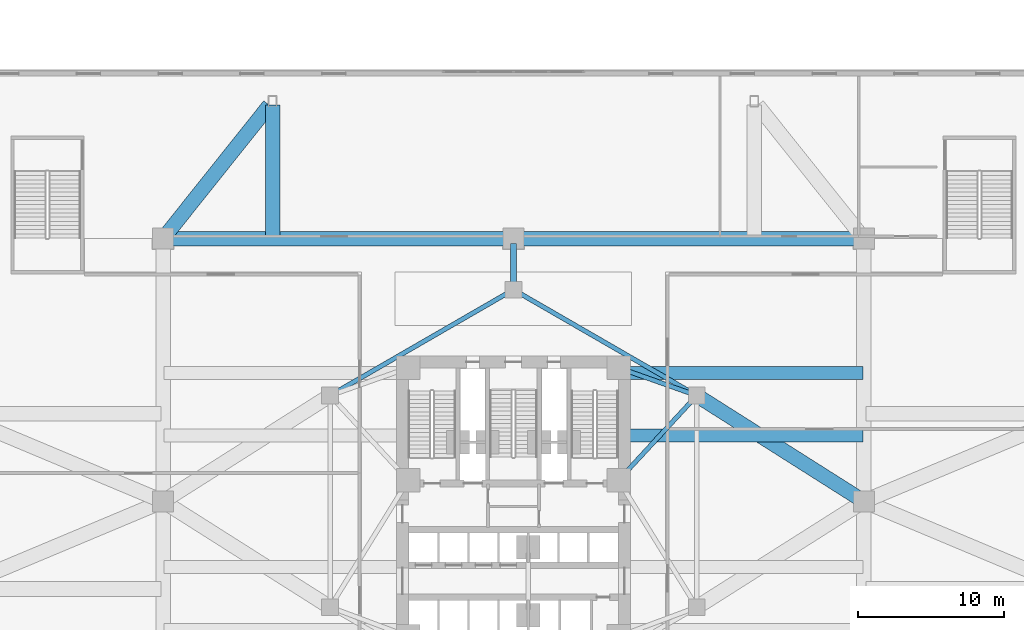
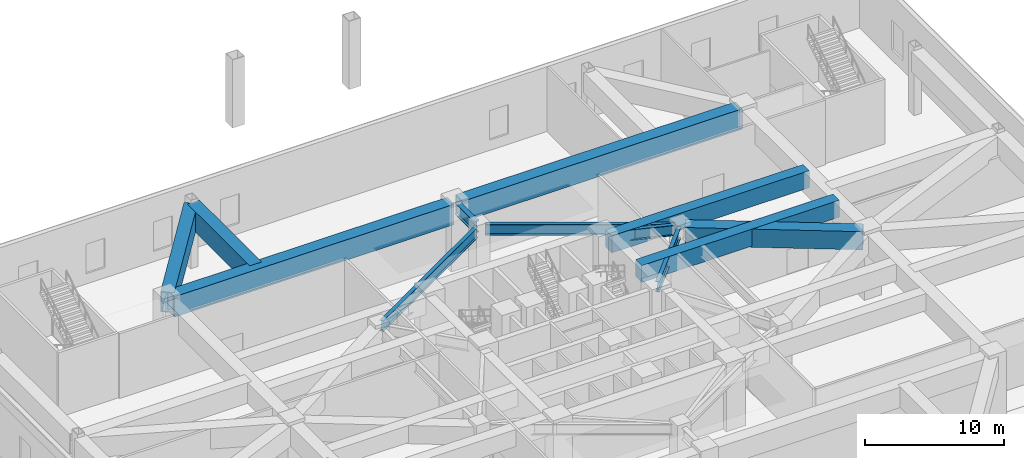
# One storey, part 7 of 24: 12 beams.
"""IFC4 building model written with IfcOpenShell, lengths in metres."""

from ifc_helpers import new_model, si_unit, direction, frame, origin, origin_2d, place, context, subcontext, project, spatial, rectangle, hollow_rectangle, i_section, extrude, material, material_profile, profile_set, type_object, element, save


model = new_model("IFC4")

# Units and contexts
model_context = context("Model", 3, precision=1e-05, world=origin(), true_north=direction((0.0, 1.0)))
body_context = subcontext(model_context, "Body", "Model", "MODEL_VIEW")
ifc_project = project(units=[si_unit("LENGTHUNIT", "METRE"), si_unit("AREAUNIT", "SQUARE_METRE"), si_unit("VOLUMEUNIT", "CUBIC_METRE"), si_unit("PLANEANGLEUNIT", "RADIAN"), si_unit("MASSUNIT", "GRAM", prefix="KILO")], contexts=[model_context])

# Site, building, storey
site_placement = place(None, origin())
site = spatial("IfcSite", under=ifc_project, at=site_placement, CompositionType="ELEMENT")
building_placement = place(site_placement, origin())
building = spatial("IfcBuilding", under=site, at=building_placement, Name="Apsidion Concourse Tower", CompositionType="ELEMENT")
storey_placement = place(building_placement, frame((0.0, 0.0, 17.5)))
storey = spatial("IfcBuildingStorey", under=building, at=storey_placement, Name="L03", CompositionType="ELEMENT", Elevation=17.5)

# Beams
ifc_material_1 = material(Name="Structural steel ASTM A992 Grade 50", Category="steel")
ifc_material_profile_1 = material_profile(ifc_material_1, i_section(OverallWidth=0.31005859375, OverallDepth=0.931884765625, WebThickness=0.02099609375, FlangeThickness=0.034423828125, at=origin_2d()), Name="W36X210")
ifc_profile_set_1 = profile_set([ifc_material_profile_1], Name="Structural steel ASTM A992 Grade 50")
beam_type_1 = type_object("IfcBeamType", Name="BM-G-W36", PredefinedType="USERDEFINED", material=ifc_profile_set_1)
beam_1_placement = place(storey_placement, frame((12.28857421875, 6.956298828125, 5.23388671875), z_axis=(-0.678712876106, -0.73440372535, 0.0), x_axis=(0.73440372535, -0.678712876106, 0.0)))
element("IfcBeam", 1, at=beam_1_placement, inside=storey, type_object=beam_type_1, Name="L03 Core Coupling Girder IC3-SC3", ObjectType="GIRDER", PredefinedType="USERDEFINED", context=body_context, shape_type="SweptSolid", body=[
    extrude(i_section(OverallWidth=0.31005859375, OverallDepth=0.931884765625, WebThickness=0.02099609375, FlangeThickness=0.034423828125, at=origin_2d()), origin(), (0.0, 0.0, 1.0), 7.097412109375),
])
beam_2_placement = place(storey_placement, frame((12.18310546875, 7.383544921875, 5.23388671875), z_axis=(-0.942533844539, 0.334110688094, 0.0), x_axis=(-0.334110688094, -0.942533844539, 0.0)))
element("IfcBeam", 2, at=beam_2_placement, inside=storey, type_object=beam_type_1, Name="L03 Core Coupling Girder IC3-SC4", ObjectType="GIRDER", PredefinedType="USERDEFINED", context=body_context, shape_type="SweptSolid", body=[
    extrude(i_section(OverallWidth=0.31005859375, OverallDepth=0.931884765625, WebThickness=0.02099609375, FlangeThickness=0.034423828125, at=origin_2d()), origin(), (0.0, 0.0, 1.0), 4.886962890625),
])
for number, where, z_axis, x_axis, name in (
    (3, (-12.213623046875, 7.449951171875, 5.23388671875), (0.866070471464, 0.499921932364, 0.0), (-0.499921932364, 0.866070471464, 0.0), "L03 Core Coupling Girder IC5-IC4"),
    (4, (0.346435546875, 14.300048828125, 5.23388671875), (0.866070471464, -0.499921932364, 0.0), (0.499921932364, 0.866070471464, 0.0), "L03 Core Coupling Girder IC4-IC3"),
):
    element("IfcBeam", number, at=place(storey_placement, frame(where, z_axis=z_axis, x_axis=x_axis)), inside=storey, type_object=beam_type_1, Name=name, ObjectType="GIRDER", PredefinedType="USERDEFINED", context=body_context, shape_type="SweptSolid", body=[
        extrude(i_section(OverallWidth=0.31005859375, OverallDepth=0.931884765625, WebThickness=0.02099609375, FlangeThickness=0.034423828125, at=origin_2d()), origin(), (0.0, 0.0, 1.0), 13.702392578125),
    ])
ifc_material_profile_2 = material_profile(ifc_material_1, i_section(OverallWidth=0.408935546875, OverallDepth=1.041015625, WebThickness=0.031005859375, FlangeThickness=0.055908203125, at=origin_2d()), Name="W40X397")
ifc_profile_set_2 = profile_set([ifc_material_profile_2], Name="Structural steel ASTM A992 Grade 50")
beam_type_2 = type_object("IfcBeamType", Name="BM-G-W40H", PredefinedType="USERDEFINED", material=ifc_profile_set_2)
beam_3_placement = place(storey_placement, frame((0.0, 17.64990234375, 5.179443359375), z_axis=(0.0, -1.0, 0.0), x_axis=(1.0, 0.0, 0.0)))
element("IfcBeam", 5, at=beam_3_placement, inside=storey, type_object=beam_type_2, Name="L03 Podium Girder MC8-IC4", ObjectType="GIRDER", PredefinedType="USERDEFINED", context=body_context, shape_type="SweptSolid", body=[
    extrude(i_section(OverallWidth=0.408935546875, OverallDepth=1.041015625, WebThickness=0.031005859375, FlangeThickness=0.055908203125, at=origin_2d()), origin(), (0.0, 0.0, 1.0), 2.7998046875),
])
ifc_material_2 = material(Name="Concrete C50/60", Category="concrete")
ifc_material_profile_3 = material_profile(ifc_material_2, rectangle(XDim=0.89990234375, YDim=1.5, at=origin_2d()), Name="RC 900x1500")
ifc_profile_set_3 = profile_set([ifc_material_profile_3], Name="Concrete C50/60")
beam_type_3 = type_object("IfcBeamType", Name="BM-TB-RC15", PredefinedType="T_BEAM", material=ifc_profile_set_3)
for number, where, z_axis, x_axis, name in (
    (6, (7.5, 4.5, 4.949951171875), (1.0, 0.0, 0.0), (0.0, 1.0, 0.0), "L03 Convention Long-Span Tee Beam E3"),
    (7, (7.5, 8.800048828125, 4.949951171875), (1.0, 0.0, 0.0), (0.0, 1.0, 0.0), "L03 Convention Long-Span Tee Beam E4"),
):
    element("IfcBeam", number, at=place(storey_placement, frame(where, z_axis=z_axis, x_axis=x_axis)), inside=storey, type_object=beam_type_3, Name=name, PredefinedType="T_BEAM", context=body_context, shape_type="SweptSolid", body=[
        extrude(rectangle(XDim=0.89990234375, YDim=1.5, at=origin_2d()), origin(), (0.0, 0.0, 1.0), 16.449951171875),
    ])
ifc_material_3 = material(Name="Structural steel ASTM A572 Grade 50", Category="steel")
ifc_material_profile_4 = material_profile(ifc_material_3, hollow_rectangle(XDim=1.0, YDim=1.60009765625, WallThickness=0.074951171875, at=origin_2d()), Name="BOX1600X1000X75")
ifc_profile_set_4 = profile_set([ifc_material_profile_4], Name="Structural steel ASTM A572 Grade 50")
beam_type_4 = type_object("IfcBeamType", Name="BM-TR-1600", PredefinedType="USERDEFINED", material=ifc_profile_set_4)
beam_4_placement = place(storey_placement, frame((23.704345703125, 0.1875, 4.89990234375), z_axis=(-0.844671254714, 0.535285411215, 0.0), x_axis=(-0.535285411215, -0.844671254714, 0.0)))
element("IfcBeam", 8, at=beam_4_placement, inside=storey, type_object=beam_type_4, Name="L03 Podium Girder MC4-IC3", ObjectType="GIRDER", PredefinedType="USERDEFINED", context=body_context, shape_type="SweptSolid", body=[
    extrude(hollow_rectangle(XDim=1.0, YDim=1.60009765625, WallThickness=0.074951171875, at=origin_2d()), origin(), (0.0, 0.0, 1.0), 12.843505859375),
])
ifc_material_profile_5 = material_profile(ifc_material_3, hollow_rectangle(XDim=1.0, YDim=1.800048828125, WallThickness=0.080078125, at=origin_2d()), Name="BOX1800X1000X80")
ifc_profile_set_5 = profile_set([ifc_material_profile_5], Name="Structural steel ASTM A572 Grade 50")
beam_type_5 = type_object("IfcBeamType", Name="BM-TR-1800", PredefinedType="USERDEFINED", material=ifc_profile_set_5)
for number, where, z_axis, x_axis, name in (
    (9, (-23.64990234375, 18.0, 4.800048828125), (1.0, 0.0, 0.0), (0.0, 1.0, 0.0), "L03 Podium Transfer Collector Girder MC5-MC8"),
    (10, (0.35009765625, 18.0, 4.800048828125), (1.0, 0.0, 0.0), (0.0, 1.0, 0.0), "L03 Podium Transfer Collector Girder MC8-MC6"),
):
    element("IfcBeam", number, at=place(storey_placement, frame(where, z_axis=z_axis, x_axis=x_axis)), inside=storey, type_object=beam_type_5, Name=name, ObjectType="GIRDER", PredefinedType="USERDEFINED", context=body_context, shape_type="SweptSolid", body=[
        extrude(hollow_rectangle(XDim=1.0, YDim=1.800048828125, WallThickness=0.080078125, at=origin_2d()), origin(), (0.0, 0.0, 1.0), 23.2998046875),
    ])
beam_5_placement = place(storey_placement, frame((-16.5, 27.14990234375, 4.800048828125), z_axis=(0.0, -1.0, 0.0), x_axis=(1.0, 0.0, 0.0)))
element("IfcBeam", 11, at=beam_5_placement, inside=storey, type_object=beam_type_5, Name="L03 Podium Radial Frame Girder PC11", ObjectType="GIRDER", PredefinedType="USERDEFINED", context=body_context, shape_type="SweptSolid", body=[
    extrude(hollow_rectangle(XDim=1.0, YDim=1.800048828125, WallThickness=0.080078125, at=origin_2d()), origin(), (0.0, 0.0, 1.0), 9.0),
])
beam_6_placement = place(storey_placement, frame((-16.71826171875, 27.12646484375, 4.800048828125), z_axis=(-0.623685030382, -0.781675753031, 0.0), x_axis=(0.781675753031, -0.623685030382, 0.0)))
element("IfcBeam", 12, at=beam_6_placement, inside=storey, type_object=beam_type_5, Name="L03 Podium Diagonal Frame Tie PC11", ObjectType="GIRDER", PredefinedType="USERDEFINED", context=body_context, shape_type="SweptSolid", body=[
    extrude(hollow_rectangle(XDim=1.0, YDim=1.800048828125, WallThickness=0.080078125, at=origin_2d()), origin(), (0.0, 0.0, 1.0), 11.325439453125),
])

save(model, "model.ifc")
